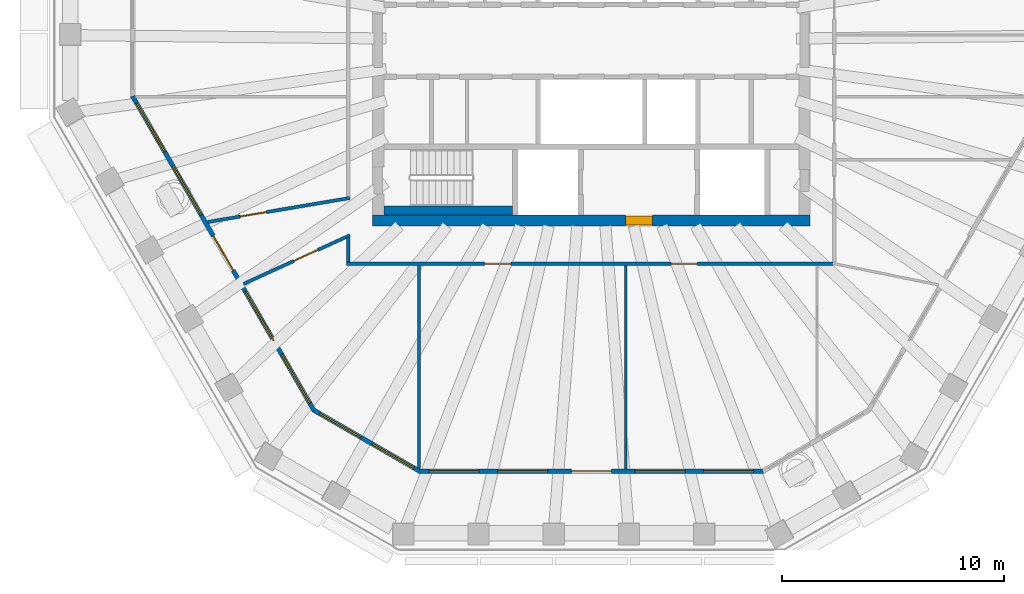
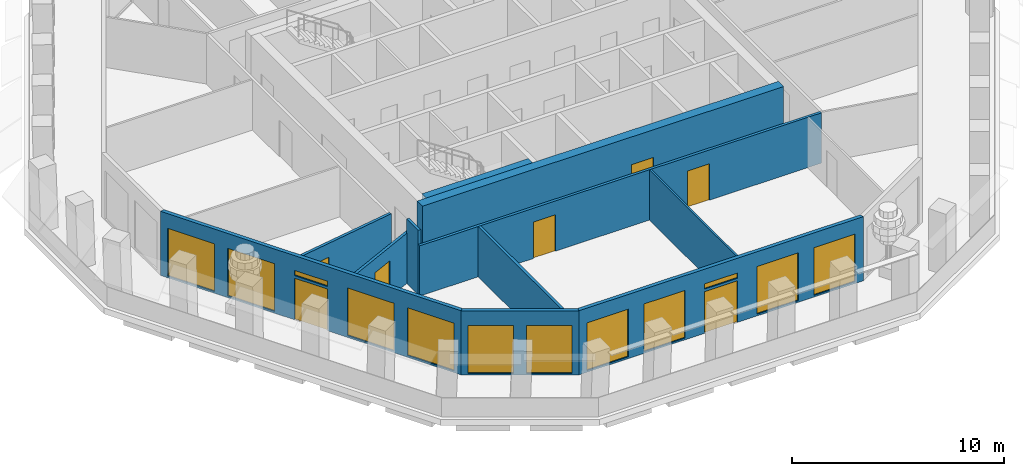
# One storey, part 3 of 12: 12 windows, 11 walls, 7 doors, 19 openings.
"""IFC4 building model written with IfcOpenShell, lengths in metres."""

from ifc_helpers import new_model, si_unit, direction, frame, frame_2d, origin, place, context, subcontext, project, spatial, polyline, rectangle, outline, extrude, material, layer, layer_set, type_object, element, fill, save


model = new_model("IFC4")

# Units and contexts
model_context = context("Model", 3, precision=1e-05, world=origin(), true_north=direction((0.0, 1.0)))
body_context = subcontext(model_context, "Body", "Model", "MODEL_VIEW")
ifc_project = project(units=[si_unit("LENGTHUNIT", "METRE"), si_unit("AREAUNIT", "SQUARE_METRE"), si_unit("VOLUMEUNIT", "CUBIC_METRE"), si_unit("PLANEANGLEUNIT", "RADIAN"), si_unit("MASSUNIT", "GRAM", prefix="KILO")], contexts=[model_context])

# Site, building, storey
site_placement = place(None, origin())
site = spatial("IfcSite", under=ifc_project, at=site_placement, CompositionType="ELEMENT")
building_placement = place(site_placement, origin())
building = spatial("IfcBuilding", under=site, at=building_placement, Name="Frailejon Research Tower", CompositionType="ELEMENT")
storey_placement = place(building_placement, frame((0.0, 0.0, 271.0)))
storey = spatial("IfcBuildingStorey", under=building, at=storey_placement, Name="L59", CompositionType="ELEMENT", Elevation=271.0)

# Wall, opening, door
ifc_material_1 = material(Name="Concrete C50/60", Category="concrete")
ifc_layer_1 = layer(ifc_material_1, 0.5)
ifc_layer_set_1 = layer_set([ifc_layer_1], Name="Core shear wall 500 C50/60")
wall_type_1 = type_object("IfcWallType", Name="Core shear wall 500 C50/60", PredefinedType="SHEAR", material=ifc_layer_set_1)
wall_1_placement = place(storey_placement, frame((-9.85009765625, -8.10009765625, 0.0), z_axis=(0.0, 0.0, 1.0), x_axis=(1.0, 0.0, 0.0)))
wall_1 = element("IfcWall", 1, at=wall_1_placement, inside=storey, type_object=wall_type_1, Name="Core shear wall", PredefinedType="SHEAR", context=body_context, shape_type="SweptSolid", body=[
    extrude(rectangle(XDim=19.7001953125, YDim=0.5, at=frame_2d((9.85009765625, 0.0))), origin(), (0.0, 0.0, 1.0), 3.699951171875),
])
opening_1_placement = place(wall_1_placement, frame((11.39990234375, 0.0, 0.0)))
opening_1 = element("IfcOpeningElement", 2, at=opening_1_placement, cuts=wall_1, Name="Opening D3", PredefinedType="OPENING", context=body_context, shape_type="SweptSolid", body=[
    extrude(rectangle(XDim=1.199951171875, YDim=2.10009765625, at=frame_2d((0.60009765625, 1.050048828125))), frame((0.0, 0.260009765625, 0.0), z_axis=(0.0, -1.0, 0.0), x_axis=(1.0, 0.0, 0.0)), (0.0, 0.0, 1.0), 0.52001953125),
])
ifc_material_2 = material(Name="Steel", Category="steel")
door_type_1 = type_object("IfcDoorType", Name="Firefighting lobby door", OperationType="SINGLE_SWING_LEFT", PredefinedType="DOOR", material=ifc_material_2)
door_1_placement = place(opening_1_placement, origin())
door_1 = element("IfcDoor", 3, at=door_1_placement, inside=storey, type_object=door_type_1, Name="Firefighting lobby door", OperationType="SINGLE_SWING_LEFT", OverallHeight=2.10009765625, OverallWidth=1.199951171875, PredefinedType="DOOR", context=body_context, shape_type="SweptSolid", body=[
    extrude(rectangle(XDim=1.199951171875, YDim=2.10009765625, at=frame_2d((0.60009765625, 1.050048828125))), frame((0.0, 0.199951171875, 0.0), z_axis=(0.0, -1.0, 0.0), x_axis=(1.0, 0.0, 0.0)), (0.0, 0.0, 1.0), 0.39990234375),
])
fill(opening_1, door_1)

# Wall
ifc_material_3 = material(Name="Gypsum board and masonry partition", Category="masonry")
ifc_layer_2 = layer(ifc_material_3, 0.14990234375)
ifc_layer_set_2 = layer_set([ifc_layer_2], Name="Corridor wall EI 60, gypsum on steel studs 150")
wall_type_2 = type_object("IfcWallType", Name="Corridor wall EI 60, gypsum on steel studs 150", PredefinedType="PARTITIONING", material=ifc_layer_set_2)
wall_2_placement = place(storey_placement, frame((-10.949951171875, -9.97509765625, 0.0), z_axis=(0.0, 0.0, 1.0), x_axis=(0.0, 1.0, 0.0)))
element("IfcWall", 4, at=wall_2_placement, inside=storey, type_object=wall_type_2, Name="T:IW:L59:006", PredefinedType="PARTITIONING", context=body_context, shape_type="SweptSolid", body=[
    extrude(rectangle(XDim=1.10009765625, YDim=0.14990234375, at=frame_2d((0.550048828125, 0.0))), origin(), (0.0, 0.0, 1.0), 3.699951171875),
])

# Wall, openings, doors
wall_3_placement = place(storey_placement, frame((-11.02490234375, -10.050048828125, 0.0), z_axis=(0.0, 0.0, 1.0), x_axis=(1.0, 0.0, 0.0)))
wall_3 = element("IfcWall", 5, at=wall_3_placement, inside=storey, type_object=wall_type_2, Name="T:IW:L59:008", PredefinedType="PARTITIONING", context=body_context, shape_type="SweptSolid", body=[
    extrude(rectangle(XDim=21.9248046875, YDim=0.14990234375, at=frame_2d((10.96240234375, 0.0))), origin(), (0.0, 0.0, 1.0), 2.89990234375),
])
opening_2_placement = place(wall_3_placement, frame((6.208984375, 0.0, 0.0)))
opening_2 = element("IfcOpeningElement", 6, at=opening_2_placement, cuts=wall_3, Name="Opening D2145", PredefinedType="OPENING", context=body_context, shape_type="SweptSolid", body=[
    extrude(rectangle(XDim=1.199951171875, YDim=2.10009765625, at=frame_2d((0.60009765625, 1.050048828125))), frame((0.0, 0.0849609375, 0.0), z_axis=(0.0, -1.0, 0.0), x_axis=(1.0, 0.0, 0.0)), (0.0, 0.0, 1.0), 0.169921875),
])
opening_3_placement = place(wall_3_placement, frame((14.605712890625, 0.0, 0.0)))
opening_3 = element("IfcOpeningElement", 7, at=opening_3_placement, cuts=wall_3, Name="Opening D2146", PredefinedType="OPENING", context=body_context, shape_type="SweptSolid", body=[
    extrude(rectangle(XDim=1.199951171875, YDim=2.10009765625, at=frame_2d((0.60009765625, 1.050048828125))), frame((0.0, 0.0849609375, 0.0), z_axis=(0.0, -1.0, 0.0), x_axis=(1.0, 0.0, 0.0)), (0.0, 0.0, 1.0), 0.169921875),
])
ifc_material_4 = material(Name="Timber door leaf", Category="wood")
door_type_2 = type_object("IfcDoorType", Name="Door single leaf, timber, steel frame 1200", OperationType="NOTDEFINED", PredefinedType="DOOR", material=ifc_material_4)
door_2_placement = place(opening_2_placement, origin())
door_2 = element("IfcDoor", 8, at=door_2_placement, inside=storey, type_object=door_type_2, Name="D2145", OperationType="DOUBLE_DOOR_SINGLE_SWING", OverallHeight=2.10009765625, OverallWidth=1.199951171875, PredefinedType="DOOR", context=body_context, shape_type="SweptSolid", body=[
    extrude(rectangle(XDim=1.199951171875, YDim=2.10009765625, at=frame_2d((0.60009765625, 1.050048828125))), frame((0.0, 0.02490234375, 0.0), z_axis=(0.0, -1.0, 0.0), x_axis=(1.0, 0.0, 0.0)), (0.0, 0.0, 1.0), 0.050048828125),
])
fill(opening_2, door_2)
door_3_placement = place(opening_3_placement, origin())
door_3 = element("IfcDoor", 9, at=door_3_placement, inside=storey, type_object=door_type_2, Name="D2146", OperationType="DOUBLE_DOOR_SINGLE_SWING", OverallHeight=2.10009765625, OverallWidth=1.199951171875, PredefinedType="DOOR", context=body_context, shape_type="SweptSolid", body=[
    extrude(rectangle(XDim=1.199951171875, YDim=2.10009765625, at=frame_2d((0.60009765625, 1.050048828125))), frame((0.0, 0.02490234375, 0.0), z_axis=(0.0, -1.0, 0.0), x_axis=(1.0, 0.0, 0.0)), (0.0, 0.0, 1.0), 0.050048828125),
])
fill(opening_3, door_3)

# Wall, opening, door
wall_4_placement = place(storey_placement, frame((-17.2802734375, -8.169921875, 0.0), z_axis=(0.0, 0.0, 1.0), x_axis=(0.986013403935, 0.166666035112, 0.0)))
wall_4 = element("IfcWall", 10, at=wall_4_placement, inside=storey, type_object=wall_type_2, Name="T:IW:L59:009", PredefinedType="PARTITIONING", context=body_context, shape_type="SweptSolid", body=[
    extrude(rectangle(XDim=6.4951171875, YDim=0.14990234375, at=frame_2d((3.24755859375, 0.0))), origin(), (0.0, 0.0, 1.0), 2.89990234375),
])
opening_4_placement = place(wall_4_placement, frame((1.47998046875, 0.0, 0.0)))
opening_4 = element("IfcOpeningElement", 11, at=opening_4_placement, cuts=wall_4, Name="Opening D2143", PredefinedType="OPENING", context=body_context, shape_type="SweptSolid", body=[
    extrude(rectangle(XDim=1.199951171875, YDim=2.10009765625, at=frame_2d((0.60009765625, 1.050048828125))), frame((0.0, 0.0849609375, 0.0), z_axis=(0.0, -1.0, 0.0), x_axis=(1.0, 0.0, 0.0)), (0.0, 0.0, 1.0), 0.169921875),
])
door_4_placement = place(opening_4_placement, origin())
door_4 = element("IfcDoor", 12, at=door_4_placement, inside=storey, type_object=door_type_2, Name="D2143", OperationType="DOUBLE_DOOR_SINGLE_SWING", OverallHeight=2.10009765625, OverallWidth=1.199951171875, PredefinedType="DOOR", context=body_context, shape_type="SweptSolid", body=[
    extrude(rectangle(XDim=1.199951171875, YDim=2.10009765625, at=frame_2d((0.60009765625, 1.050048828125))), frame((0.0, 0.02490234375, 0.0), z_axis=(0.0, -1.0, 0.0), x_axis=(1.0, 0.0, 0.0)), (0.0, 0.0, 1.0), 0.050048828125),
])
fill(opening_4, door_4)

wall_5_placement = place(storey_placement, frame((-15.668701171875, -10.9609375, 0.0), z_axis=(0.0, 0.0, 1.0), x_axis=(0.909197237165, 0.416365685342, 0.0)))
wall_5 = element("IfcWall", 13, at=wall_5_placement, inside=storey, type_object=wall_type_2, Name="T:IW:L59:010", PredefinedType="PARTITIONING", context=body_context, shape_type="SweptSolid", body=[
    extrude(rectangle(XDim=5.264892578125, YDim=0.14990234375, at=frame_2d((2.63232421875, 0.0))), origin(), (0.0, 0.0, 1.0), 2.89990234375),
])
opening_5_placement = place(wall_5_placement, frame((2.488525390625, 0.0, 0.0)))
opening_5 = element("IfcOpeningElement", 14, at=opening_5_placement, cuts=wall_5, Name="Opening D2144", PredefinedType="OPENING", context=body_context, shape_type="SweptSolid", body=[
    extrude(rectangle(XDim=1.199951171875, YDim=2.10009765625, at=frame_2d((0.60009765625, 1.050048828125))), frame((0.0, 0.0849609375, 0.0), z_axis=(0.0, -1.0, 0.0), x_axis=(1.0, 0.0, 0.0)), (0.0, 0.0, 1.0), 0.169921875),
])
ifc_material_5 = material(Name="Timber door leaf", Category="wood")
door_type_3 = type_object("IfcDoorType", Name="Door laboratory, timber, vision panel 1200", OperationType="NOTDEFINED", PredefinedType="DOOR", material=ifc_material_5)
door_5_placement = place(opening_5_placement, origin())
door_5 = element("IfcDoor", 15, at=door_5_placement, inside=storey, type_object=door_type_3, Name="D2144", OperationType="DOUBLE_DOOR_SINGLE_SWING", OverallHeight=2.10009765625, OverallWidth=1.199951171875, PredefinedType="DOOR", context=body_context, shape_type="SweptSolid", body=[
    extrude(rectangle(XDim=1.199951171875, YDim=2.10009765625, at=frame_2d((0.60009765625, 1.050048828125))), frame((0.0, 0.02490234375, 0.0), z_axis=(0.0, -1.0, 0.0), x_axis=(1.0, 0.0, 0.0)), (0.0, 0.0, 1.0), 0.050048828125),
])
fill(opening_5, door_5)

# Walls
ifc_material_6 = material(Name="Gypsum board and masonry partition", Category="masonry")
ifc_layer_3 = layer(ifc_material_6, 0.14990234375)
ifc_layer_set_3 = layer_set([ifc_layer_3], Name="Laboratory partition, blockwork 150")
wall_type_3 = type_object("IfcWallType", Name="Laboratory partition, blockwork 150", PredefinedType="PARTITIONING", material=ifc_layer_set_3)
wall_6_placement = place(storey_placement, frame((-7.760498046875, -19.2705078125, 0.0), z_axis=(0.0, 0.0, 1.0), x_axis=(0.0, 1.0, 0.0)))
element("IfcWall", 16, at=wall_6_placement, inside=storey, type_object=wall_type_3, Name="T:IW:L59:011", PredefinedType="PARTITIONING", context=body_context, shape_type="SweptSolid", body=[
    extrude(rectangle(XDim=9.1455078125, YDim=0.14990234375, at=frame_2d((4.57275390625, 0.0))), origin(), (0.0, 0.0, 1.0), 2.89990234375),
])
ifc_material_7 = material(Name="Gypsum board and masonry partition", Category="masonry")
ifc_layer_4 = layer(ifc_material_7, 0.10009765625)
ifc_layer_set_4 = layer_set([ifc_layer_4], Name="Partition, gypsum on steel studs 100")
wall_type_4 = type_object("IfcWallType", Name="Partition, gypsum on steel studs 100", PredefinedType="PARTITIONING", material=ifc_layer_set_4)
wall_7_placement = place(storey_placement, frame((1.552001953125, -19.301513671875, 0.0), z_axis=(0.0, 0.0, 1.0), x_axis=(0.0, 1.0, 0.0)))
element("IfcWall", 17, at=wall_7_placement, inside=storey, type_object=wall_type_4, Name="T:IW:L59:025", PredefinedType="PARTITIONING", context=body_context, shape_type="SweptSolid", body=[
    extrude(rectangle(XDim=9.176513671875, YDim=0.10009765625, at=frame_2d((4.58837890625, 0.0))), origin(), (0.0, 0.0, 1.0), 2.89990234375),
])
ifc_material_8 = material(Name="Concrete C50/60", Category="concrete")
ifc_layer_5 = layer(ifc_material_8, 0.39990234375)
ifc_layer_set_5 = layer_set([ifc_layer_5], Name="Shaft wall 400 C50/60")
wall_type_5 = type_object("IfcWallType", Name="Shaft wall 400 C50/60", PredefinedType="SOLIDWALL", material=ifc_layer_set_5)
wall_8_placement = place(storey_placement, frame((-9.35009765625, -7.64990234375, 0.0), z_axis=(0.0, 0.0, 1.0), x_axis=(1.0, 0.0, 0.0)))
element("IfcWall", 18, at=wall_8_placement, inside=storey, type_object=wall_type_5, Name="Shaft wall", PredefinedType="SOLIDWALL", context=body_context, shape_type="SweptSolid", body=[
    extrude(rectangle(XDim=5.800048828125, YDim=0.39990234375, at=frame_2d((2.89990234375, 0.0))), origin(), (0.0, 0.0, 1.0), 3.699951171875),
])

# Wall, openings, door, windows
ifc_material_9 = material(Name="Concrete C40/50 precast window wall panel", Category="concrete")
ifc_layer_6 = layer(ifc_material_9, 0.199951171875)
ifc_layer_set_6 = layer_set([ifc_layer_6], Name="Window wall 200")
wall_type_6 = type_object("IfcWallType", Name="Window wall 200", PredefinedType="SOLIDWALL", material=ifc_layer_set_6)
wall_9_placement = place(storey_placement, frame((-20.6689453125, -2.500244140625, 0.0), z_axis=(0.0, 0.0, 1.0), x_axis=(0.50000098397, -0.866024835688, 0.0)))
wall_9 = element("IfcWall", 19, at=wall_9_placement, inside=storey, type_object=wall_type_6, Name="Exterior wall L59", PredefinedType="SOLIDWALL", context=body_context, shape_type="SweptSolid", body=[
    extrude(outline(polyline([(-0.02685546875, -0.10009765625), (0.99755859375, -0.10009765625), (2.022216796875, -0.10009765625), (3.046630859375, -0.10009765625), (4.0712890625, -0.10009765625), (5.095703125, -0.10009765625), (6.1201171875, -0.10009765625), (7.144775390625, -0.10009765625), (8.169189453125, -0.10009765625), (9.193603515625, -0.10009765625), (10.21826171875, -0.10009765625), (11.24267578125, -0.10009765625), (12.26708984375, -0.10009765625), (13.291748046875, -0.10009765625), (14.316162109375, -0.10009765625), (15.3408203125, -0.10009765625), (16.365234375, -0.10009765625), (16.3115234375, 0.10009765625), (15.293701171875, 0.10009765625), (14.27587890625, 0.10009765625), (13.258056640625, 0.10009765625), (12.240234375, 0.10009765625), (11.22265625, 0.10009765625), (10.204833984375, 0.10009765625), (9.18701171875, 0.10009765625), (8.169189453125, 0.10009765625), (7.1513671875, 0.10009765625), (6.133544921875, 0.10009765625), (5.11572265625, 0.10009765625), (4.09814453125, 0.10009765625), (3.080322265625, 0.10009765625), (2.0625, 0.10009765625), (1.044677734375, 0.10009765625), (0.02685546875, 0.10009765625), (-0.02685546875, -0.10009765625)])), origin(), (0.0, 0.0, 1.0), 3.699951171875),
])
opening_6_placement = place(wall_9_placement, frame((0.35888671875, 0.0, 0.10009765625)))
opening_6 = element("IfcOpeningElement", 20, at=opening_6_placement, cuts=wall_9, Name="Opening W25", PredefinedType="OPENING", context=body_context, shape_type="SweptSolid", body=[
    extrude(rectangle(XDim=2.550048828125, YDim=2.75, at=frame_2d((1.27490234375, 1.375))), frame((0.0, 0.10986328125, 0.0), z_axis=(0.0, -1.0, 0.0), x_axis=(1.0, 0.0, 0.0)), (0.0, 0.0, 1.0), 0.219970703125),
])
opening_7_placement = place(wall_9_placement, frame((3.62646484375, 0.0, 0.10009765625)))
opening_7 = element("IfcOpeningElement", 21, at=opening_7_placement, cuts=wall_9, Name="Opening W25", PredefinedType="OPENING", context=body_context, shape_type="SweptSolid", body=[
    extrude(rectangle(XDim=2.550048828125, YDim=2.75, at=frame_2d((1.27490234375, 1.375))), frame((0.0, 0.10986328125, 0.0), z_axis=(0.0, -1.0, 0.0), x_axis=(1.0, 0.0, 0.0)), (0.0, 0.0, 1.0), 0.219970703125),
])
opening_8_placement = place(wall_9_placement, frame((7.269287109375, 0.0, 0.0)))
opening_8 = element("IfcOpeningElement", 22, at=opening_8_placement, cuts=wall_9, Name="Opening LG59-4", PredefinedType="OPENING", context=body_context, shape_type="SweptSolid", body=[
    extrude(rectangle(XDim=1.800048828125, YDim=2.39990234375, at=frame_2d((0.89990234375, 1.199951171875))), frame((0.0, 0.10986328125, 0.0), z_axis=(0.0, -1.0, 0.0), x_axis=(1.0, 0.0, 0.0)), (0.0, 0.0, 1.0), 0.219970703125),
])
opening_9_placement = place(wall_9_placement, frame((7.269287109375, 0.0, 2.550048828125)))
opening_9 = element("IfcOpeningElement", 23, at=opening_9_placement, cuts=wall_9, Name="Opening W24", PredefinedType="OPENING", context=body_context, shape_type="SweptSolid", body=[
    extrude(rectangle(XDim=1.800048828125, YDim=0.300048828125, at=frame_2d((0.89990234375, 0.14990234375))), frame((0.0, 0.10986328125, 0.0), z_axis=(0.0, -1.0, 0.0), x_axis=(1.0, 0.0, 0.0)), (0.0, 0.0, 1.0), 0.219970703125),
])
opening_10_placement = place(wall_9_placement, frame((10.161865234375, 0.0, 0.10009765625)))
opening_10 = element("IfcOpeningElement", 24, at=opening_10_placement, cuts=wall_9, Name="Opening W25", PredefinedType="OPENING", context=body_context, shape_type="SweptSolid", body=[
    extrude(rectangle(XDim=2.550048828125, YDim=2.75, at=frame_2d((1.27490234375, 1.375))), frame((0.0, 0.10986328125, 0.0), z_axis=(0.0, -1.0, 0.0), x_axis=(1.0, 0.0, 0.0)), (0.0, 0.0, 1.0), 0.219970703125),
])
opening_11_placement = place(wall_9_placement, frame((13.429443359375, 0.0, 0.10009765625)))
opening_11 = element("IfcOpeningElement", 25, at=opening_11_placement, cuts=wall_9, Name="Opening W25", PredefinedType="OPENING", context=body_context, shape_type="SweptSolid", body=[
    extrude(rectangle(XDim=2.550048828125, YDim=2.75, at=frame_2d((1.27490234375, 1.375))), frame((0.0, 0.10986328125, 0.0), z_axis=(0.0, -1.0, 0.0), x_axis=(1.0, 0.0, 0.0)), (0.0, 0.0, 1.0), 0.219970703125),
])
ifc_material_10 = material(Name="Aluminium framed glazed door leaf", Category="aluminium")
door_type_4 = type_object("IfcDoorType", Name="Loggia door 1800x2400", OperationType="DOUBLE_DOOR_SINGLE_SWING", PredefinedType="DOOR", material=ifc_material_10)
door_6_placement = place(opening_8_placement, origin())
door_6 = element("IfcDoor", 26, at=door_6_placement, inside=storey, type_object=door_type_4, Name="Door LG59-4", OperationType="DOUBLE_DOOR_SINGLE_SWING", OverallHeight=2.39990234375, OverallWidth=1.800048828125, PredefinedType="DOOR", context=body_context, shape_type="SweptSolid", body=[
    extrude(rectangle(XDim=1.800048828125, YDim=2.39990234375, at=frame_2d((0.89990234375, 1.199951171875))), frame((0.0, 0.02490234375, 0.0), z_axis=(0.0, -1.0, 0.0), x_axis=(1.0, 0.0, 0.0)), (0.0, 0.0, 1.0), 0.050048828125),
])
fill(opening_8, door_6)
ifc_material_11 = material(Name="Aluminium framed double glazing", Category="aluminium")
window_type_1 = type_object("IfcWindowType", Name="Window 1800x300", PartitioningType="SINGLE_PANEL", PredefinedType="WINDOW", material=ifc_material_11)
window_1_placement = place(opening_9_placement, origin())
window_1 = element("IfcWindow", 27, at=window_1_placement, inside=storey, type_object=window_type_1, Name="Window L59", OverallHeight=0.300048828125, OverallWidth=1.800048828125, PartitioningType="SINGLE_PANEL", PredefinedType="WINDOW", context=body_context, shape_type="SweptSolid", body=[
    extrude(rectangle(XDim=1.800048828125, YDim=0.300048828125, at=frame_2d((0.89990234375, 0.14990234375))), frame((0.0, 0.030029296875, 0.0), z_axis=(0.0, -1.0, 0.0), x_axis=(1.0, 0.0, 0.0)), (0.0, 0.0, 1.0), 0.06005859375),
])
fill(opening_9, window_1)
ifc_material_12 = material(Name="Aluminium framed double glazing", Category="aluminium")
window_type_2 = type_object("IfcWindowType", Name="Window 2550x2750", PartitioningType="SINGLE_PANEL", PredefinedType="WINDOW", material=ifc_material_12)
window_2_placement = place(opening_6_placement, origin())
window_2 = element("IfcWindow", 28, at=window_2_placement, inside=storey, type_object=window_type_2, Name="Window L59", OverallHeight=2.75, OverallWidth=2.550048828125, PartitioningType="SINGLE_PANEL", PredefinedType="WINDOW", context=body_context, shape_type="SweptSolid", body=[
    extrude(rectangle(XDim=2.550048828125, YDim=2.75, at=frame_2d((1.27490234375, 1.375))), frame((0.0, 0.030029296875, 0.0), z_axis=(0.0, -1.0, 0.0), x_axis=(1.0, 0.0, 0.0)), (0.0, 0.0, 1.0), 0.06005859375),
])
fill(opening_6, window_2)
window_3_placement = place(opening_7_placement, origin())
window_3 = element("IfcWindow", 29, at=window_3_placement, inside=storey, type_object=window_type_2, Name="Window L59", OverallHeight=2.75, OverallWidth=2.550048828125, PartitioningType="SINGLE_PANEL", PredefinedType="WINDOW", context=body_context, shape_type="SweptSolid", body=[
    extrude(rectangle(XDim=2.550048828125, YDim=2.75, at=frame_2d((1.27490234375, 1.375))), frame((0.0, 0.030029296875, 0.0), z_axis=(0.0, -1.0, 0.0), x_axis=(1.0, 0.0, 0.0)), (0.0, 0.0, 1.0), 0.06005859375),
])
fill(opening_7, window_3)
window_4_placement = place(opening_10_placement, origin())
window_4 = element("IfcWindow", 30, at=window_4_placement, inside=storey, type_object=window_type_2, Name="Window L59", OverallHeight=2.75, OverallWidth=2.550048828125, PartitioningType="SINGLE_PANEL", PredefinedType="WINDOW", context=body_context, shape_type="SweptSolid", body=[
    extrude(rectangle(XDim=2.550048828125, YDim=2.75, at=frame_2d((1.27490234375, 1.375))), frame((0.0, 0.030029296875, 0.0), z_axis=(0.0, -1.0, 0.0), x_axis=(1.0, 0.0, 0.0)), (0.0, 0.0, 1.0), 0.06005859375),
])
fill(opening_10, window_4)
window_5_placement = place(opening_11_placement, origin())
window_5 = element("IfcWindow", 31, at=window_5_placement, inside=storey, type_object=window_type_2, Name="Window L59", OverallHeight=2.75, OverallWidth=2.550048828125, PartitioningType="SINGLE_PANEL", PredefinedType="WINDOW", context=body_context, shape_type="SweptSolid", body=[
    extrude(rectangle(XDim=2.550048828125, YDim=2.75, at=frame_2d((1.27490234375, 1.375))), frame((0.0, 0.030029296875, 0.0), z_axis=(0.0, -1.0, 0.0), x_axis=(1.0, 0.0, 0.0)), (0.0, 0.0, 1.0), 0.06005859375),
])
fill(opening_11, window_5)

# Wall, openings, windows
wall_10_placement = place(storey_placement, frame((-12.499755859375, -16.649658203125, 0.0), z_axis=(0.0, 0.0, 1.0), x_axis=(0.866026017613, -0.499998936816, 0.0)))
wall_10 = element("IfcWall", 32, at=wall_10_placement, inside=storey, type_object=wall_type_6, Name="Exterior wall L59", PredefinedType="SOLIDWALL", context=body_context, shape_type="SweptSolid", body=[
    extrude(outline(polyline([(-0.02685546875, -0.10009765625), (1.08447265625, -0.10009765625), (2.196044921875, -0.10009765625), (3.307373046875, -0.10009765625), (4.4189453125, -0.10009765625), (5.5302734375, -0.10009765625), (5.4765625, 0.10009765625), (4.38671875, 0.10009765625), (3.296630859375, 0.10009765625), (2.206787109375, 0.10009765625), (1.11669921875, 0.10009765625), (0.02685546875, 0.10009765625), (-0.02685546875, -0.10009765625)])), origin(), (0.0, 0.0, 1.0), 3.699951171875),
])
opening_12_placement = place(wall_10_placement, frame((0.30078125, 0.0, 0.10009765625)))
opening_12 = element("IfcOpeningElement", 33, at=opening_12_placement, cuts=wall_10, Name="Opening W22", PredefinedType="OPENING", context=body_context, shape_type="SweptSolid", body=[
    extrude(rectangle(XDim=2.14990234375, YDim=2.75, at=frame_2d((1.074951171875, 1.375))), frame((0.0, 0.10986328125, 0.0), z_axis=(0.0, -1.0, 0.0), x_axis=(1.0, 0.0, 0.0)), (0.0, 0.0, 1.0), 0.219970703125),
])
opening_13_placement = place(wall_10_placement, frame((3.052490234375, 0.0, 0.10009765625)))
opening_13 = element("IfcOpeningElement", 34, at=opening_13_placement, cuts=wall_10, Name="Opening W22", PredefinedType="OPENING", context=body_context, shape_type="SweptSolid", body=[
    extrude(rectangle(XDim=2.14990234375, YDim=2.75, at=frame_2d((1.074951171875, 1.375))), frame((0.0, 0.10986328125, 0.0), z_axis=(0.0, -1.0, 0.0), x_axis=(1.0, 0.0, 0.0)), (0.0, 0.0, 1.0), 0.219970703125),
])
ifc_material_13 = material(Name="Aluminium framed double glazing", Category="aluminium")
window_type_3 = type_object("IfcWindowType", Name="Window 2150x2750", PartitioningType="SINGLE_PANEL", PredefinedType="WINDOW", material=ifc_material_13)
window_6_placement = place(opening_12_placement, origin())
window_6 = element("IfcWindow", 35, at=window_6_placement, inside=storey, type_object=window_type_3, Name="Window L59", OverallHeight=2.75, OverallWidth=2.14990234375, PartitioningType="SINGLE_PANEL", PredefinedType="WINDOW", context=body_context, shape_type="SweptSolid", body=[
    extrude(rectangle(XDim=2.14990234375, YDim=2.75, at=frame_2d((1.074951171875, 1.375))), frame((0.0, 0.030029296875, 0.0), z_axis=(0.0, -1.0, 0.0), x_axis=(1.0, 0.0, 0.0)), (0.0, 0.0, 1.0), 0.06005859375),
])
fill(opening_12, window_6)
window_7_placement = place(opening_13_placement, origin())
window_7 = element("IfcWindow", 36, at=window_7_placement, inside=storey, type_object=window_type_3, Name="Window L59", OverallHeight=2.75, OverallWidth=2.14990234375, PartitioningType="SINGLE_PANEL", PredefinedType="WINDOW", context=body_context, shape_type="SweptSolid", body=[
    extrude(rectangle(XDim=2.14990234375, YDim=2.75, at=frame_2d((1.074951171875, 1.375))), frame((0.0, 0.030029296875, 0.0), z_axis=(0.0, -1.0, 0.0), x_axis=(1.0, 0.0, 0.0)), (0.0, 0.0, 1.0), 0.06005859375),
])
fill(opening_13, window_7)

# Wall, openings, door, windows
wall_11_placement = place(storey_placement, frame((-7.733642578125, -19.4013671875, 0.0), z_axis=(0.0, 0.0, 1.0), x_axis=(1.0, 0.0, 0.0)))
wall_11 = element("IfcWall", 37, at=wall_11_placement, inside=storey, type_object=wall_type_6, Name="Exterior wall L59", PredefinedType="SOLIDWALL", context=body_context, shape_type="SweptSolid", body=[
    extrude(outline(polyline([(-0.02685546875, -0.10009765625), (1.0078125, -0.10009765625), (2.042724609375, -0.10009765625), (3.077392578125, -0.10009765625), (4.112060546875, -0.10009765625), (5.146728515625, -0.10009765625), (6.181640625, -0.10009765625), (7.21630859375, -0.10009765625), (8.2509765625, -0.10009765625), (9.28564453125, -0.10009765625), (10.320556640625, -0.10009765625), (11.355224609375, -0.10009765625), (12.389892578125, -0.10009765625), (13.424560546875, -0.10009765625), (14.45947265625, -0.10009765625), (15.494140625, -0.10009765625), (15.4404296875, 0.10009765625), (14.412841796875, 0.10009765625), (13.38525390625, 0.10009765625), (12.357666015625, 0.10009765625), (11.330078125, 0.10009765625), (10.302490234375, 0.10009765625), (9.27490234375, 0.10009765625), (8.247314453125, 0.10009765625), (7.219970703125, 0.10009765625), (6.1923828125, 0.10009765625), (5.164794921875, 0.10009765625), (4.13720703125, 0.10009765625), (3.109619140625, 0.10009765625), (2.08203125, 0.10009765625), (1.054443359375, 0.10009765625), (0.02685546875, 0.10009765625), (-0.02685546875, -0.10009765625)])), origin(), (0.0, 0.0, 1.0), 3.699951171875),
])
opening_14_placement = place(wall_11_placement, frame((0.421630859375, 0.0, 0.10009765625)))
opening_14 = element("IfcOpeningElement", 38, at=opening_14_placement, cuts=wall_11, Name="Opening W23", PredefinedType="OPENING", context=body_context, shape_type="SweptSolid", body=[
    extrude(rectangle(XDim=2.25, YDim=2.75, at=frame_2d((1.125, 1.375))), frame((0.0, 0.10986328125, 0.0), z_axis=(0.0, -1.0, 0.0), x_axis=(1.0, 0.0, 0.0)), (0.0, 0.0, 1.0), 0.219970703125),
])
opening_15_placement = place(wall_11_placement, frame((3.51513671875, 0.0, 0.10009765625)))
opening_15 = element("IfcOpeningElement", 39, at=opening_15_placement, cuts=wall_11, Name="Opening W23", PredefinedType="OPENING", context=body_context, shape_type="SweptSolid", body=[
    extrude(rectangle(XDim=2.25, YDim=2.75, at=frame_2d((1.125, 1.375))), frame((0.0, 0.10986328125, 0.0), z_axis=(0.0, -1.0, 0.0), x_axis=(1.0, 0.0, 0.0)), (0.0, 0.0, 1.0), 0.219970703125),
])
opening_16_placement = place(wall_11_placement, frame((6.833740234375, 0.0, 0.0)))
opening_16 = element("IfcOpeningElement", 40, at=opening_16_placement, cuts=wall_11, Name="Opening LG59-5", PredefinedType="OPENING", context=body_context, shape_type="SweptSolid", body=[
    extrude(rectangle(XDim=1.800048828125, YDim=2.39990234375, at=frame_2d((0.89990234375, 1.199951171875))), frame((0.0, 0.10986328125, 0.0), z_axis=(0.0, -1.0, 0.0), x_axis=(1.0, 0.0, 0.0)), (0.0, 0.0, 1.0), 0.219970703125),
])
opening_17_placement = place(wall_11_placement, frame((6.833740234375, 0.0, 2.550048828125)))
opening_17 = element("IfcOpeningElement", 41, at=opening_17_placement, cuts=wall_11, Name="Opening W24", PredefinedType="OPENING", context=body_context, shape_type="SweptSolid", body=[
    extrude(rectangle(XDim=1.800048828125, YDim=0.300048828125, at=frame_2d((0.89990234375, 0.14990234375))), frame((0.0, 0.10986328125, 0.0), z_axis=(0.0, -1.0, 0.0), x_axis=(1.0, 0.0, 0.0)), (0.0, 0.0, 1.0), 0.219970703125),
])
opening_18_placement = place(wall_11_placement, frame((9.7021484375, 0.0, 0.10009765625)))
opening_18 = element("IfcOpeningElement", 42, at=opening_18_placement, cuts=wall_11, Name="Opening W23", PredefinedType="OPENING", context=body_context, shape_type="SweptSolid", body=[
    extrude(rectangle(XDim=2.25, YDim=2.75, at=frame_2d((1.125, 1.375))), frame((0.0, 0.10986328125, 0.0), z_axis=(0.0, -1.0, 0.0), x_axis=(1.0, 0.0, 0.0)), (0.0, 0.0, 1.0), 0.219970703125),
])
opening_19_placement = place(wall_11_placement, frame((12.795654296875, 0.0, 0.10009765625)))
opening_19 = element("IfcOpeningElement", 43, at=opening_19_placement, cuts=wall_11, Name="Opening W23", PredefinedType="OPENING", context=body_context, shape_type="SweptSolid", body=[
    extrude(rectangle(XDim=2.25, YDim=2.75, at=frame_2d((1.125, 1.375))), frame((0.0, 0.10986328125, 0.0), z_axis=(0.0, -1.0, 0.0), x_axis=(1.0, 0.0, 0.0)), (0.0, 0.0, 1.0), 0.219970703125),
])
door_7_placement = place(opening_16_placement, origin())
door_7 = element("IfcDoor", 44, at=door_7_placement, inside=storey, type_object=door_type_4, Name="Door LG59-5", OperationType="DOUBLE_DOOR_SINGLE_SWING", OverallHeight=2.39990234375, OverallWidth=1.800048828125, PredefinedType="DOOR", context=body_context, shape_type="SweptSolid", body=[
    extrude(rectangle(XDim=1.800048828125, YDim=2.39990234375, at=frame_2d((0.89990234375, 1.199951171875))), frame((0.0, 0.02490234375, 0.0), z_axis=(0.0, -1.0, 0.0), x_axis=(1.0, 0.0, 0.0)), (0.0, 0.0, 1.0), 0.050048828125),
])
fill(opening_16, door_7)
window_8_placement = place(opening_17_placement, origin())
window_8 = element("IfcWindow", 45, at=window_8_placement, inside=storey, type_object=window_type_1, Name="Window L59", OverallHeight=0.300048828125, OverallWidth=1.800048828125, PartitioningType="SINGLE_PANEL", PredefinedType="WINDOW", context=body_context, shape_type="SweptSolid", body=[
    extrude(rectangle(XDim=1.800048828125, YDim=0.300048828125, at=frame_2d((0.89990234375, 0.14990234375))), frame((0.0, 0.030029296875, 0.0), z_axis=(0.0, -1.0, 0.0), x_axis=(1.0, 0.0, 0.0)), (0.0, 0.0, 1.0), 0.06005859375),
])
fill(opening_17, window_8)
ifc_material_14 = material(Name="Aluminium framed double glazing", Category="aluminium")
window_type_4 = type_object("IfcWindowType", Name="Window 2250x2750", PartitioningType="SINGLE_PANEL", PredefinedType="WINDOW", material=ifc_material_14)
window_9_placement = place(opening_14_placement, origin())
window_9 = element("IfcWindow", 46, at=window_9_placement, inside=storey, type_object=window_type_4, Name="Window L59", OverallHeight=2.75, OverallWidth=2.25, PartitioningType="SINGLE_PANEL", PredefinedType="WINDOW", context=body_context, shape_type="SweptSolid", body=[
    extrude(rectangle(XDim=2.25, YDim=2.75, at=frame_2d((1.125, 1.375))), frame((0.0, 0.030029296875, 0.0), z_axis=(0.0, -1.0, 0.0), x_axis=(1.0, 0.0, 0.0)), (0.0, 0.0, 1.0), 0.06005859375),
])
fill(opening_14, window_9)
window_10_placement = place(opening_15_placement, origin())
window_10 = element("IfcWindow", 47, at=window_10_placement, inside=storey, type_object=window_type_4, Name="Window L59", OverallHeight=2.75, OverallWidth=2.25, PartitioningType="SINGLE_PANEL", PredefinedType="WINDOW", context=body_context, shape_type="SweptSolid", body=[
    extrude(rectangle(XDim=2.25, YDim=2.75, at=frame_2d((1.125, 1.375))), frame((0.0, 0.030029296875, 0.0), z_axis=(0.0, -1.0, 0.0), x_axis=(1.0, 0.0, 0.0)), (0.0, 0.0, 1.0), 0.06005859375),
])
fill(opening_15, window_10)
window_11_placement = place(opening_18_placement, origin())
window_11 = element("IfcWindow", 48, at=window_11_placement, inside=storey, type_object=window_type_4, Name="Window L59", OverallHeight=2.75, OverallWidth=2.25, PartitioningType="SINGLE_PANEL", PredefinedType="WINDOW", context=body_context, shape_type="SweptSolid", body=[
    extrude(rectangle(XDim=2.25, YDim=2.75, at=frame_2d((1.125, 1.375))), frame((0.0, 0.030029296875, 0.0), z_axis=(0.0, -1.0, 0.0), x_axis=(1.0, 0.0, 0.0)), (0.0, 0.0, 1.0), 0.06005859375),
])
fill(opening_18, window_11)
window_12_placement = place(opening_19_placement, origin())
window_12 = element("IfcWindow", 49, at=window_12_placement, inside=storey, type_object=window_type_4, Name="Window L59", OverallHeight=2.75, OverallWidth=2.25, PartitioningType="SINGLE_PANEL", PredefinedType="WINDOW", context=body_context, shape_type="SweptSolid", body=[
    extrude(rectangle(XDim=2.25, YDim=2.75, at=frame_2d((1.125, 1.375))), frame((0.0, 0.030029296875, 0.0), z_axis=(0.0, -1.0, 0.0), x_axis=(1.0, 0.0, 0.0)), (0.0, 0.0, 1.0), 0.06005859375),
])
fill(opening_19, window_12)

save(model, "model.ifc")
